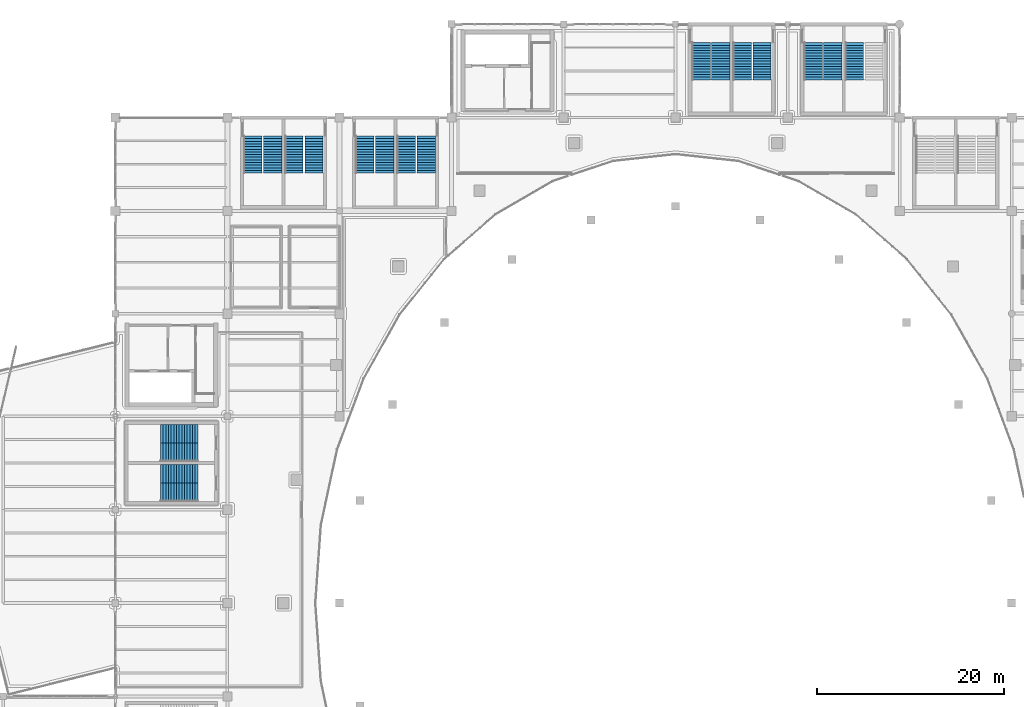
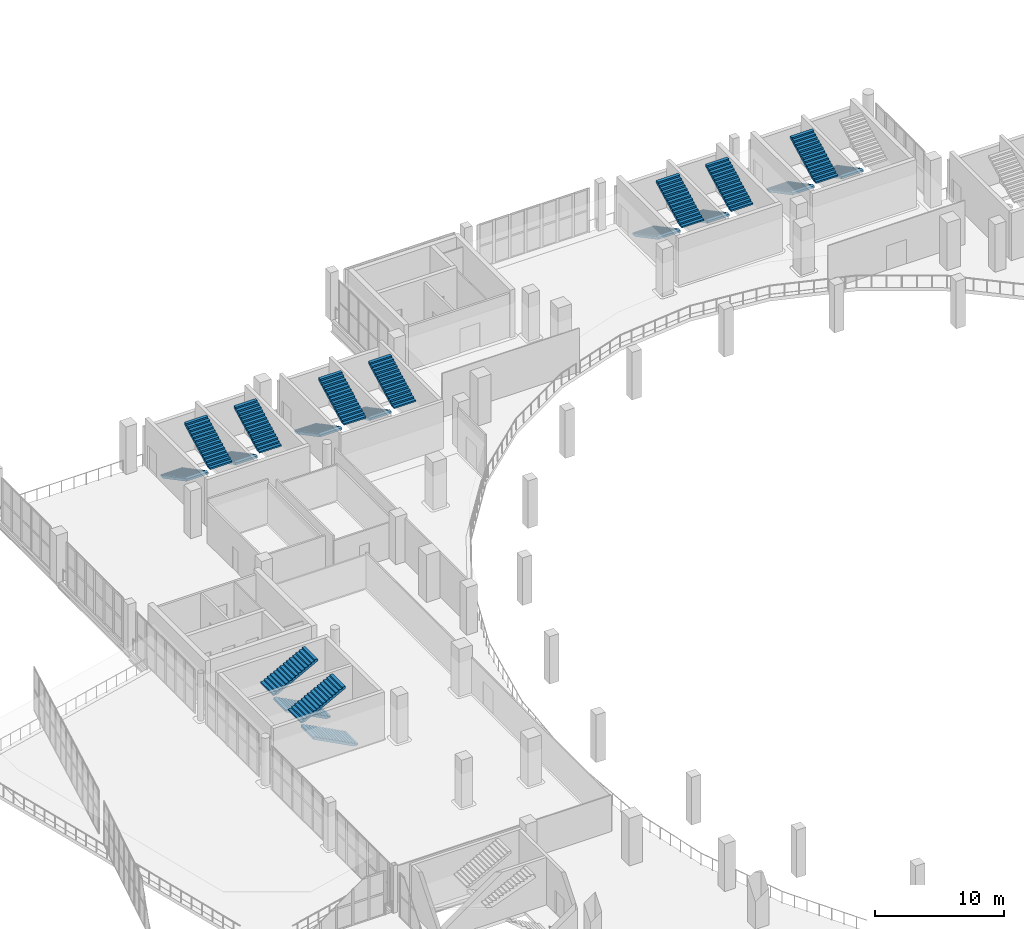
# One storey, part 88 of 108: 19 stair flights, 10 elements without a shape of their own.
"""IFC4 building model written with IfcOpenShell, lengths in metres."""

from ifc_helpers import new_model, si_unit, direction, frame, origin, place, context, subcontext, project, spatial, polyline, outline, extrude, material, layer, layer_set, type_object, element, aggregate, save


model = new_model("IFC4")

# Units and contexts
model_context = context("Model", 3, precision=1e-05, world=origin(), true_north=direction((0.0, 1.0)))
body_context = subcontext(model_context, "Body", "Model", "MODEL_VIEW")
ifc_project = project(units=[si_unit("LENGTHUNIT", "METRE"), si_unit("AREAUNIT", "SQUARE_METRE"), si_unit("VOLUMEUNIT", "CUBIC_METRE"), si_unit("PLANEANGLEUNIT", "RADIAN"), si_unit("MASSUNIT", "GRAM", prefix="KILO")], contexts=[model_context])

# Site, building, storey
site_placement = place(None, origin())
site = spatial("IfcSite", under=ifc_project, at=site_placement, CompositionType="ELEMENT")
building_placement = place(site_placement, origin())
building = spatial("IfcBuilding", under=site, at=building_placement, Name="Brinegate Civic Arena", CompositionType="ELEMENT")
storey_placement = place(building_placement, frame((0.0, 0.0, 10.199951171875)))
storey = spatial("IfcBuildingStorey", under=building, at=storey_placement, Name="L02", CompositionType="ELEMENT", Elevation=10.199951171875)

# Stair, stair flights
ifc_material = material(Name="Concrete C40/50", Category="concrete")
stair_type_1 = type_object("IfcStairType", Name="STAIR-EXIT-3700", PredefinedType="HALF_TURN_STAIR", material=ifc_material)
stair_1_placement = place(storey_placement, origin())
stair_1 = element("IfcStair", 1, at=stair_1_placement, inside=storey, type_object=stair_type_1, Name="Protected Exit Stair ST-01B (L02)", PredefinedType="HALF_TURN_STAIR")
ifc_layer_1 = layer(ifc_material, 0.179931640625, Name="Concrete C40/50")
ifc_layer_set_1 = layer_set([ifc_layer_1], Name="Concrete C40/50")
stair_flight_type_1 = type_object("IfcStairFlightType", Name="FLIGHT-EXIT-3700", PredefinedType="STRAIGHT", material=ifc_layer_set_1)
stair_flight_1_placement = place(storey_placement, frame((67.139892578125, 112.030029296875, 0.0), z_axis=(0.0, 0.0, 1.0), x_axis=(0.0, -1.0, 0.0)))
stair_flight_1 = element("IfcStairFlight", 2, at=stair_flight_1_placement, type_object=stair_flight_type_1, Name="ST-01B flight 1", NumberOfRisers=15, NumberOfTreads=14, PredefinedType="STRAIGHT", RiserHeight=0.15, TreadLength=0.285, context=body_context, shape_type="SweptSolid", body=[
    extrude(outline(polyline([(0.0, 0.0), (0.0, 0.14990234375), (0.284912109375, 0.14990234375), (0.284912109375, 0.300048828125), (0.570068359375, 0.300048828125), (0.570068359375, 0.449951171875), (0.85498046875, 0.449951171875), (0.85498046875, 0.60009765625), (1.139892578125, 0.60009765625), (1.139892578125, 0.75), (1.425048828125, 0.75), (1.425048828125, 0.89990234375), (1.7099609375, 0.89990234375), (1.7099609375, 1.050048828125), (1.9951171875, 1.050048828125), (1.9951171875, 1.199951171875), (2.280029296875, 1.199951171875), (2.280029296875, 1.35009765625), (2.56494140625, 1.35009765625), (2.56494140625, 1.5), (2.85009765625, 1.5), (2.85009765625, 1.64990234375), (3.135009765625, 1.64990234375), (3.135009765625, 1.800048828125), (3.419921875, 1.800048828125), (3.419921875, 1.949951171875), (3.705078125, 1.949951171875), (3.705078125, 2.10009765625), (3.989990234375, 2.10009765625), (3.989990234375, 2.25), (3.989990234375, 1.896728515625), (0.38623046875, 0.0), (0.0, 0.0)])), frame((0.0, 0.97998046875, 0.0), z_axis=(0.0, -1.0, 0.0), x_axis=(1.0, 0.0, 0.0)), (0.0, 0.0, 1.0), 1.9599609375),
])
stair_flight_2_placement = place(storey_placement, frame((69.280029296875, 108.0400390625, 2.25), z_axis=(0.0, 0.0, 1.0), x_axis=(0.0, 1.0, 0.0)))
stair_flight_2 = element("IfcStairFlight", 3, at=stair_flight_2_placement, type_object=stair_flight_type_1, Name="ST-01B flight 2", NumberOfRisers=15, NumberOfTreads=14, PredefinedType="STRAIGHT", RiserHeight=0.15, TreadLength=0.285, context=body_context, shape_type="SweptSolid", body=[
    extrude(outline(polyline([(0.0, 0.0), (0.0, 0.14990234375), (0.284912109375, 0.14990234375), (0.284912109375, 0.300048828125), (0.570068359375, 0.300048828125), (0.570068359375, 0.449951171875), (0.85498046875, 0.449951171875), (0.85498046875, 0.60009765625), (1.139892578125, 0.60009765625), (1.139892578125, 0.75), (1.425048828125, 0.75), (1.425048828125, 0.89990234375), (1.7099609375, 0.89990234375), (1.7099609375, 1.050048828125), (1.9951171875, 1.050048828125), (1.9951171875, 1.199951171875), (2.280029296875, 1.199951171875), (2.280029296875, 1.35009765625), (2.56494140625, 1.35009765625), (2.56494140625, 1.5), (2.85009765625, 1.5), (2.85009765625, 1.64990234375), (3.135009765625, 1.64990234375), (3.135009765625, 1.800048828125), (3.419921875, 1.800048828125), (3.419921875, 1.949951171875), (3.705078125, 1.949951171875), (3.705078125, 2.10009765625), (3.989990234375, 2.10009765625), (3.989990234375, 2.25), (3.989990234375, 1.896728515625), (0.38623046875, 0.0), (0.0, 0.0)])), frame((0.0, 0.97998046875, 0.0), z_axis=(0.0, -1.0, 0.0), x_axis=(1.0, 0.0, 0.0)), (0.0, 0.0, 1.0), 1.9599609375),
])
aggregate(stair_1, [stair_flight_1, stair_flight_2])

# Stair, stair flight
stair_2_placement = place(storey_placement, origin())
stair_2 = element("IfcStair", 4, at=stair_2_placement, inside=storey, type_object=stair_type_1, Name="Protected Exit Stair ST-03B (L02)", PredefinedType="HALF_TURN_STAIR")
stair_flight_3_placement = place(storey_placement, frame((127.139892578125, 122.030029296875, 0.0), z_axis=(0.0, 0.0, 1.0), x_axis=(0.0, -1.0, 0.0)))
stair_flight_3 = element("IfcStairFlight", 5, at=stair_flight_3_placement, type_object=stair_flight_type_1, Name="ST-03B flight 1", NumberOfRisers=15, NumberOfTreads=14, PredefinedType="STRAIGHT", RiserHeight=0.15, TreadLength=0.285, context=body_context, shape_type="SweptSolid", body=[
    extrude(outline(polyline([(0.0, 0.0), (0.0, 0.14990234375), (0.284912109375, 0.14990234375), (0.284912109375, 0.300048828125), (0.570068359375, 0.300048828125), (0.570068359375, 0.449951171875), (0.85498046875, 0.449951171875), (0.85498046875, 0.60009765625), (1.139892578125, 0.60009765625), (1.139892578125, 0.75), (1.425048828125, 0.75), (1.425048828125, 0.89990234375), (1.7099609375, 0.89990234375), (1.7099609375, 1.050048828125), (1.9951171875, 1.050048828125), (1.9951171875, 1.199951171875), (2.280029296875, 1.199951171875), (2.280029296875, 1.35009765625), (2.56494140625, 1.35009765625), (2.56494140625, 1.5), (2.85009765625, 1.5), (2.85009765625, 1.64990234375), (3.135009765625, 1.64990234375), (3.135009765625, 1.800048828125), (3.419921875, 1.800048828125), (3.419921875, 1.949951171875), (3.705078125, 1.949951171875), (3.705078125, 2.10009765625), (3.989990234375, 2.10009765625), (3.989990234375, 2.25), (3.989990234375, 1.896728515625), (0.38623046875, 0.0), (0.0, 0.0)])), frame((0.0, 0.97998046875, 0.0), z_axis=(0.0, -1.0, 0.0), x_axis=(1.0, 0.0, 0.0)), (0.0, 0.0, 1.0), 1.9599609375),
])
aggregate(stair_2, [stair_flight_3])

# Stair, stair flights
stair_3_placement = place(storey_placement, origin())
stair_3 = element("IfcStair", 6, at=stair_3_placement, inside=storey, type_object=stair_type_1, Name="Protected Exit Stair ST-07B (L02)", PredefinedType="HALF_TURN_STAIR")
stair_flight_4_placement = place(storey_placement, frame((56.830078125, 78.139892578125, 0.0), z_axis=(0.0, 0.0, 1.0), x_axis=(-1.0, 0.0, 0.0)))
stair_flight_4 = element("IfcStairFlight", 7, at=stair_flight_4_placement, type_object=stair_flight_type_1, Name="ST-07B flight 1", NumberOfRisers=15, NumberOfTreads=14, PredefinedType="STRAIGHT", RiserHeight=0.15, TreadLength=0.285, context=body_context, shape_type="SweptSolid", body=[
    extrude(outline(polyline([(0.0, 0.0), (0.0, 0.14990234375), (0.284912109375, 0.14990234375), (0.284912109375, 0.300048828125), (0.570068359375, 0.300048828125), (0.570068359375, 0.449951171875), (0.85498046875, 0.449951171875), (0.85498046875, 0.60009765625), (1.139892578125, 0.60009765625), (1.139892578125, 0.75), (1.425048828125, 0.75), (1.425048828125, 0.89990234375), (1.7099609375, 0.89990234375), (1.7099609375, 1.050048828125), (1.9951171875, 1.050048828125), (1.9951171875, 1.199951171875), (2.280029296875, 1.199951171875), (2.280029296875, 1.35009765625), (2.56494140625, 1.35009765625), (2.56494140625, 1.5), (2.85009765625, 1.5), (2.85009765625, 1.64990234375), (3.135009765625, 1.64990234375), (3.135009765625, 1.800048828125), (3.419921875, 1.800048828125), (3.419921875, 1.949951171875), (3.705078125, 1.949951171875), (3.705078125, 2.10009765625), (3.989990234375, 2.10009765625), (3.989990234375, 2.25), (3.989990234375, 1.896728515625), (0.38623046875, 0.0), (0.0, 0.0)])), frame((0.0, 0.97998046875, 0.0), z_axis=(0.0, -1.0, 0.0), x_axis=(1.0, 0.0, 0.0)), (0.0, 0.0, 1.0), 1.9599609375),
])
stair_flight_5_placement = place(storey_placement, frame((52.840087890625, 80.1298828125, 2.25), z_axis=(0.0, 0.0, 1.0), x_axis=(1.0, 0.0, 0.0)))
stair_flight_5 = element("IfcStairFlight", 8, at=stair_flight_5_placement, type_object=stair_flight_type_1, Name="ST-07B flight 2", NumberOfRisers=15, NumberOfTreads=14, PredefinedType="STRAIGHT", RiserHeight=0.15, TreadLength=0.285, context=body_context, shape_type="SweptSolid", body=[
    extrude(outline(polyline([(0.0, 0.0), (0.0, 0.14990234375), (0.284912109375, 0.14990234375), (0.284912109375, 0.300048828125), (0.570068359375, 0.300048828125), (0.570068359375, 0.449951171875), (0.85498046875, 0.449951171875), (0.85498046875, 0.60009765625), (1.139892578125, 0.60009765625), (1.139892578125, 0.75), (1.425048828125, 0.75), (1.425048828125, 0.89990234375), (1.7099609375, 0.89990234375), (1.7099609375, 1.050048828125), (1.9951171875, 1.050048828125), (1.9951171875, 1.199951171875), (2.280029296875, 1.199951171875), (2.280029296875, 1.35009765625), (2.56494140625, 1.35009765625), (2.56494140625, 1.5), (2.85009765625, 1.5), (2.85009765625, 1.64990234375), (3.135009765625, 1.64990234375), (3.135009765625, 1.800048828125), (3.419921875, 1.800048828125), (3.419921875, 1.949951171875), (3.705078125, 1.949951171875), (3.705078125, 2.10009765625), (3.989990234375, 2.10009765625), (3.989990234375, 2.25), (3.989990234375, 1.896728515625), (0.38623046875, 0.0), (0.0, 0.0)])), frame((0.0, 0.97998046875, 0.0), z_axis=(0.0, -1.0, 0.0), x_axis=(1.0, 0.0, 0.0)), (0.0, 0.0, 1.0), 1.9599609375),
])
aggregate(stair_3, [stair_flight_4, stair_flight_5])

stair_4_placement = place(storey_placement, origin())
stair_4 = element("IfcStair", 9, at=stair_4_placement, inside=storey, type_object=stair_type_1, Name="Protected Exit Stair ST-11B (L02)", PredefinedType="HALF_TURN_STAIR")
stair_flight_6_placement = place(storey_placement, frame((79.139892578125, 112.030029296875, 0.0), z_axis=(0.0, 0.0, 1.0), x_axis=(0.0, -1.0, 0.0)))
stair_flight_6 = element("IfcStairFlight", 10, at=stair_flight_6_placement, type_object=stair_flight_type_1, Name="ST-11B flight 1", NumberOfRisers=15, NumberOfTreads=14, PredefinedType="STRAIGHT", RiserHeight=0.15, TreadLength=0.285, context=body_context, shape_type="SweptSolid", body=[
    extrude(outline(polyline([(0.0, 0.0), (0.0, 0.14990234375), (0.284912109375, 0.14990234375), (0.284912109375, 0.300048828125), (0.570068359375, 0.300048828125), (0.570068359375, 0.449951171875), (0.85498046875, 0.449951171875), (0.85498046875, 0.60009765625), (1.139892578125, 0.60009765625), (1.139892578125, 0.75), (1.425048828125, 0.75), (1.425048828125, 0.89990234375), (1.7099609375, 0.89990234375), (1.7099609375, 1.050048828125), (1.9951171875, 1.050048828125), (1.9951171875, 1.199951171875), (2.280029296875, 1.199951171875), (2.280029296875, 1.35009765625), (2.56494140625, 1.35009765625), (2.56494140625, 1.5), (2.85009765625, 1.5), (2.85009765625, 1.64990234375), (3.135009765625, 1.64990234375), (3.135009765625, 1.800048828125), (3.419921875, 1.800048828125), (3.419921875, 1.949951171875), (3.705078125, 1.949951171875), (3.705078125, 2.10009765625), (3.989990234375, 2.10009765625), (3.989990234375, 2.25), (3.989990234375, 1.896728515625), (0.38623046875, 0.0), (0.0, 0.0)])), frame((0.0, 0.97998046875, 0.0), z_axis=(0.0, -1.0, 0.0), x_axis=(1.0, 0.0, 0.0)), (0.0, 0.0, 1.0), 1.9599609375),
])
stair_flight_7_placement = place(storey_placement, frame((81.31005859375, 108.0400390625, 2.25), z_axis=(0.0, 0.0, 1.0), x_axis=(0.0, 1.0, 0.0)))
stair_flight_7 = element("IfcStairFlight", 11, at=stair_flight_7_placement, type_object=stair_flight_type_1, Name="ST-11B flight 2", NumberOfRisers=15, NumberOfTreads=14, PredefinedType="STRAIGHT", RiserHeight=0.15, TreadLength=0.285, context=body_context, shape_type="SweptSolid", body=[
    extrude(outline(polyline([(0.0, 0.0), (0.0, 0.14990234375), (0.284912109375, 0.14990234375), (0.284912109375, 0.300048828125), (0.570068359375, 0.300048828125), (0.570068359375, 0.449951171875), (0.85498046875, 0.449951171875), (0.85498046875, 0.60009765625), (1.139892578125, 0.60009765625), (1.139892578125, 0.75), (1.425048828125, 0.75), (1.425048828125, 0.89990234375), (1.7099609375, 0.89990234375), (1.7099609375, 1.050048828125), (1.9951171875, 1.050048828125), (1.9951171875, 1.199951171875), (2.280029296875, 1.199951171875), (2.280029296875, 1.35009765625), (2.56494140625, 1.35009765625), (2.56494140625, 1.5), (2.85009765625, 1.5), (2.85009765625, 1.64990234375), (3.135009765625, 1.64990234375), (3.135009765625, 1.800048828125), (3.419921875, 1.800048828125), (3.419921875, 1.949951171875), (3.705078125, 1.949951171875), (3.705078125, 2.10009765625), (3.989990234375, 2.10009765625), (3.989990234375, 2.25), (3.989990234375, 1.896728515625), (0.38623046875, 0.0), (0.0, 0.0)])), frame((0.0, 0.97998046875, 0.0), z_axis=(0.0, -1.0, 0.0), x_axis=(1.0, 0.0, 0.0)), (0.0, 0.0, 1.0), 1.9599609375),
])
aggregate(stair_4, [stair_flight_6, stair_flight_7])

stair_5_placement = place(storey_placement, origin())
stair_5 = element("IfcStair", 12, at=stair_5_placement, inside=storey, type_object=stair_type_1, Name="Protected Exit Stair ST-15B (L02)", PredefinedType="HALF_TURN_STAIR")
stair_flight_8_placement = place(storey_placement, frame((115.139892578125, 122.030029296875, 0.0), z_axis=(0.0, 0.0, 1.0), x_axis=(0.0, -1.0, 0.0)))
stair_flight_8 = element("IfcStairFlight", 13, at=stair_flight_8_placement, type_object=stair_flight_type_1, Name="ST-15B flight 1", NumberOfRisers=15, NumberOfTreads=14, PredefinedType="STRAIGHT", RiserHeight=0.15, TreadLength=0.285, context=body_context, shape_type="SweptSolid", body=[
    extrude(outline(polyline([(0.0, 0.0), (0.0, 0.14990234375), (0.284912109375, 0.14990234375), (0.284912109375, 0.300048828125), (0.570068359375, 0.300048828125), (0.570068359375, 0.449951171875), (0.85498046875, 0.449951171875), (0.85498046875, 0.60009765625), (1.139892578125, 0.60009765625), (1.139892578125, 0.75), (1.425048828125, 0.75), (1.425048828125, 0.89990234375), (1.7099609375, 0.89990234375), (1.7099609375, 1.050048828125), (1.9951171875, 1.050048828125), (1.9951171875, 1.199951171875), (2.280029296875, 1.199951171875), (2.280029296875, 1.35009765625), (2.56494140625, 1.35009765625), (2.56494140625, 1.5), (2.85009765625, 1.5), (2.85009765625, 1.64990234375), (3.135009765625, 1.64990234375), (3.135009765625, 1.800048828125), (3.419921875, 1.800048828125), (3.419921875, 1.949951171875), (3.705078125, 1.949951171875), (3.705078125, 2.10009765625), (3.989990234375, 2.10009765625), (3.989990234375, 2.25), (3.989990234375, 1.896728515625), (0.38623046875, 0.0), (0.0, 0.0)])), frame((0.0, 0.97998046875, 0.0), z_axis=(0.0, -1.0, 0.0), x_axis=(1.0, 0.0, 0.0)), (0.0, 0.0, 1.0), 1.9599609375),
])
stair_flight_9_placement = place(storey_placement, frame((117.260009765625, 118.0400390625, 2.25), z_axis=(0.0, 0.0, 1.0), x_axis=(0.0, 1.0, 0.0)))
stair_flight_9 = element("IfcStairFlight", 14, at=stair_flight_9_placement, type_object=stair_flight_type_1, Name="ST-15B flight 2", NumberOfRisers=15, NumberOfTreads=14, PredefinedType="STRAIGHT", RiserHeight=0.15, TreadLength=0.285, context=body_context, shape_type="SweptSolid", body=[
    extrude(outline(polyline([(0.0, 0.0), (0.0, 0.14990234375), (0.284912109375, 0.14990234375), (0.284912109375, 0.300048828125), (0.570068359375, 0.300048828125), (0.570068359375, 0.449951171875), (0.85498046875, 0.449951171875), (0.85498046875, 0.60009765625), (1.139892578125, 0.60009765625), (1.139892578125, 0.75), (1.425048828125, 0.75), (1.425048828125, 0.89990234375), (1.7099609375, 0.89990234375), (1.7099609375, 1.050048828125), (1.9951171875, 1.050048828125), (1.9951171875, 1.199951171875), (2.280029296875, 1.199951171875), (2.280029296875, 1.35009765625), (2.56494140625, 1.35009765625), (2.56494140625, 1.5), (2.85009765625, 1.5), (2.85009765625, 1.64990234375), (3.135009765625, 1.64990234375), (3.135009765625, 1.800048828125), (3.419921875, 1.800048828125), (3.419921875, 1.949951171875), (3.705078125, 1.949951171875), (3.705078125, 2.10009765625), (3.989990234375, 2.10009765625), (3.989990234375, 2.25), (3.989990234375, 1.896728515625), (0.38623046875, 0.0), (0.0, 0.0)])), frame((0.0, 0.97998046875, 0.0), z_axis=(0.0, -1.0, 0.0), x_axis=(1.0, 0.0, 0.0)), (0.0, 0.0, 1.0), 1.9599609375),
])
aggregate(stair_5, [stair_flight_8, stair_flight_9])

stair_type_2 = type_object("IfcStairType", Name="STAIR-EXIT-3850", PredefinedType="HALF_TURN_STAIR", material=ifc_material)
stair_6_placement = place(storey_placement, origin())
stair_6 = element("IfcStair", 15, at=stair_6_placement, inside=storey, type_object=stair_type_2, Name="Protected Exit Stair ST-01A (L02)", PredefinedType="HALF_TURN_STAIR")
ifc_layer_2 = layer(ifc_material, 0.179931640625, Name="Concrete C40/50")
ifc_layer_set_2 = layer_set([ifc_layer_2], Name="Concrete C40/50")
stair_flight_type_2 = type_object("IfcStairFlightType", Name="FLIGHT-EXIT-3850", PredefinedType="STRAIGHT", material=ifc_layer_set_2)
stair_flight_10_placement = place(storey_placement, frame((62.72998046875, 112.030029296875, 0.0), z_axis=(0.0, 0.0, 1.0), x_axis=(0.0, -1.0, 0.0)))
stair_flight_10 = element("IfcStairFlight", 16, at=stair_flight_10_placement, type_object=stair_flight_type_2, Name="ST-01A flight 1", NumberOfRisers=15, NumberOfTreads=14, PredefinedType="STRAIGHT", RiserHeight=0.15, TreadLength=0.285, context=body_context, shape_type="SweptSolid", body=[
    extrude(outline(polyline([(0.0, 0.0), (0.0, 0.14990234375), (0.284912109375, 0.14990234375), (0.284912109375, 0.300048828125), (0.570068359375, 0.300048828125), (0.570068359375, 0.449951171875), (0.85498046875, 0.449951171875), (0.85498046875, 0.60009765625), (1.139892578125, 0.60009765625), (1.139892578125, 0.75), (1.425048828125, 0.75), (1.425048828125, 0.89990234375), (1.7099609375, 0.89990234375), (1.7099609375, 1.050048828125), (1.9951171875, 1.050048828125), (1.9951171875, 1.199951171875), (2.280029296875, 1.199951171875), (2.280029296875, 1.35009765625), (2.56494140625, 1.35009765625), (2.56494140625, 1.5), (2.85009765625, 1.5), (2.85009765625, 1.64990234375), (3.135009765625, 1.64990234375), (3.135009765625, 1.800048828125), (3.419921875, 1.800048828125), (3.419921875, 1.949951171875), (3.705078125, 1.949951171875), (3.705078125, 2.10009765625), (3.989990234375, 2.10009765625), (3.989990234375, 2.25), (3.989990234375, 1.896728515625), (0.38623046875, 0.0), (0.0, 0.0)])), frame((0.0, 0.989990234375, 0.0), z_axis=(0.0, -1.0, 0.0), x_axis=(1.0, 0.0, 0.0)), (0.0, 0.0, 1.0), 1.97998046875),
])
stair_flight_11_placement = place(storey_placement, frame((64.85009765625, 108.0400390625, 2.25), z_axis=(0.0, 0.0, 1.0), x_axis=(0.0, 1.0, 0.0)))
stair_flight_11 = element("IfcStairFlight", 17, at=stair_flight_11_placement, type_object=stair_flight_type_2, Name="ST-01A flight 2", NumberOfRisers=15, NumberOfTreads=14, PredefinedType="STRAIGHT", RiserHeight=0.15, TreadLength=0.285, context=body_context, shape_type="SweptSolid", body=[
    extrude(outline(polyline([(0.0, 0.0), (0.0, 0.14990234375), (0.284912109375, 0.14990234375), (0.284912109375, 0.300048828125), (0.570068359375, 0.300048828125), (0.570068359375, 0.449951171875), (0.85498046875, 0.449951171875), (0.85498046875, 0.60009765625), (1.139892578125, 0.60009765625), (1.139892578125, 0.75), (1.425048828125, 0.75), (1.425048828125, 0.89990234375), (1.7099609375, 0.89990234375), (1.7099609375, 1.050048828125), (1.9951171875, 1.050048828125), (1.9951171875, 1.199951171875), (2.280029296875, 1.199951171875), (2.280029296875, 1.35009765625), (2.56494140625, 1.35009765625), (2.56494140625, 1.5), (2.85009765625, 1.5), (2.85009765625, 1.64990234375), (3.135009765625, 1.64990234375), (3.135009765625, 1.800048828125), (3.419921875, 1.800048828125), (3.419921875, 1.949951171875), (3.705078125, 1.949951171875), (3.705078125, 2.10009765625), (3.989990234375, 2.10009765625), (3.989990234375, 2.25), (3.989990234375, 1.896728515625), (0.38623046875, 0.0), (0.0, 0.0)])), frame((0.0, 0.989990234375, 0.0), z_axis=(0.0, -1.0, 0.0), x_axis=(1.0, 0.0, 0.0)), (0.0, 0.0, 1.0), 1.97998046875),
])
aggregate(stair_6, [stair_flight_10, stair_flight_11])

stair_7_placement = place(storey_placement, origin())
stair_7 = element("IfcStair", 18, at=stair_7_placement, inside=storey, type_object=stair_type_2, Name="Protected Exit Stair ST-03A (L02)", PredefinedType="HALF_TURN_STAIR")
stair_flight_12_placement = place(storey_placement, frame((122.75, 122.030029296875, 0.0), z_axis=(0.0, 0.0, 1.0), x_axis=(0.0, -1.0, 0.0)))
stair_flight_12 = element("IfcStairFlight", 19, at=stair_flight_12_placement, type_object=stair_flight_type_2, Name="ST-03A flight 1", NumberOfRisers=15, NumberOfTreads=14, PredefinedType="STRAIGHT", RiserHeight=0.15, TreadLength=0.285, context=body_context, shape_type="SweptSolid", body=[
    extrude(outline(polyline([(0.0, 0.0), (0.0, 0.14990234375), (0.284912109375, 0.14990234375), (0.284912109375, 0.300048828125), (0.570068359375, 0.300048828125), (0.570068359375, 0.449951171875), (0.85498046875, 0.449951171875), (0.85498046875, 0.60009765625), (1.139892578125, 0.60009765625), (1.139892578125, 0.75), (1.425048828125, 0.75), (1.425048828125, 0.89990234375), (1.7099609375, 0.89990234375), (1.7099609375, 1.050048828125), (1.9951171875, 1.050048828125), (1.9951171875, 1.199951171875), (2.280029296875, 1.199951171875), (2.280029296875, 1.35009765625), (2.56494140625, 1.35009765625), (2.56494140625, 1.5), (2.85009765625, 1.5), (2.85009765625, 1.64990234375), (3.135009765625, 1.64990234375), (3.135009765625, 1.800048828125), (3.419921875, 1.800048828125), (3.419921875, 1.949951171875), (3.705078125, 1.949951171875), (3.705078125, 2.10009765625), (3.989990234375, 2.10009765625), (3.989990234375, 2.25), (3.989990234375, 1.896728515625), (0.38623046875, 0.0), (0.0, 0.0)])), frame((0.0, 0.989990234375, 0.0), z_axis=(0.0, -1.0, 0.0), x_axis=(1.0, 0.0, 0.0)), (0.0, 0.0, 1.0), 1.97998046875),
])
stair_flight_13_placement = place(storey_placement, frame((124.85009765625, 118.0400390625, 2.25), z_axis=(0.0, 0.0, 1.0), x_axis=(0.0, 1.0, 0.0)))
stair_flight_13 = element("IfcStairFlight", 20, at=stair_flight_13_placement, type_object=stair_flight_type_2, Name="ST-03A flight 2", NumberOfRisers=15, NumberOfTreads=14, PredefinedType="STRAIGHT", RiserHeight=0.15, TreadLength=0.285, context=body_context, shape_type="SweptSolid", body=[
    extrude(outline(polyline([(0.0, 0.0), (0.0, 0.14990234375), (0.284912109375, 0.14990234375), (0.284912109375, 0.300048828125), (0.570068359375, 0.300048828125), (0.570068359375, 0.449951171875), (0.85498046875, 0.449951171875), (0.85498046875, 0.60009765625), (1.139892578125, 0.60009765625), (1.139892578125, 0.75), (1.425048828125, 0.75), (1.425048828125, 0.89990234375), (1.7099609375, 0.89990234375), (1.7099609375, 1.050048828125), (1.9951171875, 1.050048828125), (1.9951171875, 1.199951171875), (2.280029296875, 1.199951171875), (2.280029296875, 1.35009765625), (2.56494140625, 1.35009765625), (2.56494140625, 1.5), (2.85009765625, 1.5), (2.85009765625, 1.64990234375), (3.135009765625, 1.64990234375), (3.135009765625, 1.800048828125), (3.419921875, 1.800048828125), (3.419921875, 1.949951171875), (3.705078125, 1.949951171875), (3.705078125, 2.10009765625), (3.989990234375, 2.10009765625), (3.989990234375, 2.25), (3.989990234375, 1.896728515625), (0.38623046875, 0.0), (0.0, 0.0)])), frame((0.0, 0.989990234375, 0.0), z_axis=(0.0, -1.0, 0.0), x_axis=(1.0, 0.0, 0.0)), (0.0, 0.0, 1.0), 1.97998046875),
])
aggregate(stair_7, [stair_flight_12, stair_flight_13])

stair_8_placement = place(storey_placement, origin())
stair_8 = element("IfcStair", 21, at=stair_8_placement, inside=storey, type_object=stair_type_2, Name="Protected Exit Stair ST-07A (L02)", PredefinedType="HALF_TURN_STAIR")
stair_flight_14_placement = place(storey_placement, frame((56.830078125, 73.8779296875, 0.0), z_axis=(0.0, 0.0, 1.0), x_axis=(-1.0, 0.0, 0.0)))
stair_flight_14 = element("IfcStairFlight", 22, at=stair_flight_14_placement, type_object=stair_flight_type_2, Name="ST-07A flight 1", NumberOfRisers=15, NumberOfTreads=14, PredefinedType="STRAIGHT", RiserHeight=0.15, TreadLength=0.285, context=body_context, shape_type="SweptSolid", body=[
    extrude(outline(polyline([(0.0, 0.0), (0.0, 0.14990234375), (0.284912109375, 0.14990234375), (0.284912109375, 0.300048828125), (0.570068359375, 0.300048828125), (0.570068359375, 0.449951171875), (0.85498046875, 0.449951171875), (0.85498046875, 0.60009765625), (1.139892578125, 0.60009765625), (1.139892578125, 0.75), (1.425048828125, 0.75), (1.425048828125, 0.89990234375), (1.7099609375, 0.89990234375), (1.7099609375, 1.050048828125), (1.9951171875, 1.050048828125), (1.9951171875, 1.199951171875), (2.280029296875, 1.199951171875), (2.280029296875, 1.35009765625), (2.56494140625, 1.35009765625), (2.56494140625, 1.5), (2.85009765625, 1.5), (2.85009765625, 1.64990234375), (3.135009765625, 1.64990234375), (3.135009765625, 1.800048828125), (3.419921875, 1.800048828125), (3.419921875, 1.949951171875), (3.705078125, 1.949951171875), (3.705078125, 2.10009765625), (3.989990234375, 2.10009765625), (3.989990234375, 2.25), (3.989990234375, 1.896728515625), (0.38623046875, 0.0), (0.0, 0.0)])), frame((0.0, 0.987548828125, 0.0), z_axis=(0.0, -1.0, 0.0), x_axis=(1.0, 0.0, 0.0)), (0.0, 0.0, 1.0), 1.97509765625),
])
stair_flight_15_placement = place(storey_placement, frame((52.840087890625, 75.85302734375, 2.25), z_axis=(0.0, 0.0, 1.0), x_axis=(1.0, 0.0, 0.0)))
stair_flight_15 = element("IfcStairFlight", 23, at=stair_flight_15_placement, type_object=stair_flight_type_2, Name="ST-07A flight 2", NumberOfRisers=15, NumberOfTreads=14, PredefinedType="STRAIGHT", RiserHeight=0.15, TreadLength=0.285, context=body_context, shape_type="SweptSolid", body=[
    extrude(outline(polyline([(0.0, 0.0), (0.0, 0.14990234375), (0.284912109375, 0.14990234375), (0.284912109375, 0.300048828125), (0.570068359375, 0.300048828125), (0.570068359375, 0.449951171875), (0.85498046875, 0.449951171875), (0.85498046875, 0.60009765625), (1.139892578125, 0.60009765625), (1.139892578125, 0.75), (1.425048828125, 0.75), (1.425048828125, 0.89990234375), (1.7099609375, 0.89990234375), (1.7099609375, 1.050048828125), (1.9951171875, 1.050048828125), (1.9951171875, 1.199951171875), (2.280029296875, 1.199951171875), (2.280029296875, 1.35009765625), (2.56494140625, 1.35009765625), (2.56494140625, 1.5), (2.85009765625, 1.5), (2.85009765625, 1.64990234375), (3.135009765625, 1.64990234375), (3.135009765625, 1.800048828125), (3.419921875, 1.800048828125), (3.419921875, 1.949951171875), (3.705078125, 1.949951171875), (3.705078125, 2.10009765625), (3.989990234375, 2.10009765625), (3.989990234375, 2.25), (3.989990234375, 1.896728515625), (0.38623046875, 0.0), (0.0, 0.0)])), frame((0.0, 0.987548828125, 0.0), z_axis=(0.0, -1.0, 0.0), x_axis=(1.0, 0.0, 0.0)), (0.0, 0.0, 1.0), 1.97509765625),
])
aggregate(stair_8, [stair_flight_14, stair_flight_15])

stair_9_placement = place(storey_placement, origin())
stair_9 = element("IfcStair", 24, at=stair_9_placement, inside=storey, type_object=stair_type_2, Name="Protected Exit Stair ST-11A (L02)", PredefinedType="HALF_TURN_STAIR")
stair_flight_16_placement = place(storey_placement, frame((74.699951171875, 112.030029296875, 0.0), z_axis=(0.0, 0.0, 1.0), x_axis=(0.0, -1.0, 0.0)))
stair_flight_16 = element("IfcStairFlight", 25, at=stair_flight_16_placement, type_object=stair_flight_type_2, Name="ST-11A flight 1", NumberOfRisers=15, NumberOfTreads=14, PredefinedType="STRAIGHT", RiserHeight=0.15, TreadLength=0.285, context=body_context, shape_type="SweptSolid", body=[
    extrude(outline(polyline([(0.0, 0.0), (0.0, 0.14990234375), (0.284912109375, 0.14990234375), (0.284912109375, 0.300048828125), (0.570068359375, 0.300048828125), (0.570068359375, 0.449951171875), (0.85498046875, 0.449951171875), (0.85498046875, 0.60009765625), (1.139892578125, 0.60009765625), (1.139892578125, 0.75), (1.425048828125, 0.75), (1.425048828125, 0.89990234375), (1.7099609375, 0.89990234375), (1.7099609375, 1.050048828125), (1.9951171875, 1.050048828125), (1.9951171875, 1.199951171875), (2.280029296875, 1.199951171875), (2.280029296875, 1.35009765625), (2.56494140625, 1.35009765625), (2.56494140625, 1.5), (2.85009765625, 1.5), (2.85009765625, 1.64990234375), (3.135009765625, 1.64990234375), (3.135009765625, 1.800048828125), (3.419921875, 1.800048828125), (3.419921875, 1.949951171875), (3.705078125, 1.949951171875), (3.705078125, 2.10009765625), (3.989990234375, 2.10009765625), (3.989990234375, 2.25), (3.989990234375, 1.896728515625), (0.38623046875, 0.0), (0.0, 0.0)])), frame((0.0, 0.989990234375, 0.0), z_axis=(0.0, -1.0, 0.0), x_axis=(1.0, 0.0, 0.0)), (0.0, 0.0, 1.0), 1.97998046875),
])
stair_flight_17_placement = place(storey_placement, frame((76.85009765625, 108.0400390625, 2.25), z_axis=(0.0, 0.0, 1.0), x_axis=(0.0, 1.0, 0.0)))
stair_flight_17 = element("IfcStairFlight", 26, at=stair_flight_17_placement, type_object=stair_flight_type_2, Name="ST-11A flight 2", NumberOfRisers=15, NumberOfTreads=14, PredefinedType="STRAIGHT", RiserHeight=0.15, TreadLength=0.285, context=body_context, shape_type="SweptSolid", body=[
    extrude(outline(polyline([(0.0, 0.0), (0.0, 0.14990234375), (0.284912109375, 0.14990234375), (0.284912109375, 0.300048828125), (0.570068359375, 0.300048828125), (0.570068359375, 0.449951171875), (0.85498046875, 0.449951171875), (0.85498046875, 0.60009765625), (1.139892578125, 0.60009765625), (1.139892578125, 0.75), (1.425048828125, 0.75), (1.425048828125, 0.89990234375), (1.7099609375, 0.89990234375), (1.7099609375, 1.050048828125), (1.9951171875, 1.050048828125), (1.9951171875, 1.199951171875), (2.280029296875, 1.199951171875), (2.280029296875, 1.35009765625), (2.56494140625, 1.35009765625), (2.56494140625, 1.5), (2.85009765625, 1.5), (2.85009765625, 1.64990234375), (3.135009765625, 1.64990234375), (3.135009765625, 1.800048828125), (3.419921875, 1.800048828125), (3.419921875, 1.949951171875), (3.705078125, 1.949951171875), (3.705078125, 2.10009765625), (3.989990234375, 2.10009765625), (3.989990234375, 2.25), (3.989990234375, 1.896728515625), (0.38623046875, 0.0), (0.0, 0.0)])), frame((0.0, 0.989990234375, 0.0), z_axis=(0.0, -1.0, 0.0), x_axis=(1.0, 0.0, 0.0)), (0.0, 0.0, 1.0), 1.97998046875),
])
aggregate(stair_9, [stair_flight_16, stair_flight_17])

stair_10_placement = place(storey_placement, origin())
stair_10 = element("IfcStair", 27, at=stair_10_placement, inside=storey, type_object=stair_type_2, Name="Protected Exit Stair ST-15A (L02)", PredefinedType="HALF_TURN_STAIR")
stair_flight_18_placement = place(storey_placement, frame((110.75, 122.030029296875, 0.0), z_axis=(0.0, 0.0, 1.0), x_axis=(0.0, -1.0, 0.0)))
stair_flight_18 = element("IfcStairFlight", 28, at=stair_flight_18_placement, type_object=stair_flight_type_2, Name="ST-15A flight 1", NumberOfRisers=15, NumberOfTreads=14, PredefinedType="STRAIGHT", RiserHeight=0.15, TreadLength=0.285, context=body_context, shape_type="SweptSolid", body=[
    extrude(outline(polyline([(0.0, 0.0), (0.0, 0.14990234375), (0.284912109375, 0.14990234375), (0.284912109375, 0.300048828125), (0.570068359375, 0.300048828125), (0.570068359375, 0.449951171875), (0.85498046875, 0.449951171875), (0.85498046875, 0.60009765625), (1.139892578125, 0.60009765625), (1.139892578125, 0.75), (1.425048828125, 0.75), (1.425048828125, 0.89990234375), (1.7099609375, 0.89990234375), (1.7099609375, 1.050048828125), (1.9951171875, 1.050048828125), (1.9951171875, 1.199951171875), (2.280029296875, 1.199951171875), (2.280029296875, 1.35009765625), (2.56494140625, 1.35009765625), (2.56494140625, 1.5), (2.85009765625, 1.5), (2.85009765625, 1.64990234375), (3.135009765625, 1.64990234375), (3.135009765625, 1.800048828125), (3.419921875, 1.800048828125), (3.419921875, 1.949951171875), (3.705078125, 1.949951171875), (3.705078125, 2.10009765625), (3.989990234375, 2.10009765625), (3.989990234375, 2.25), (3.989990234375, 1.896728515625), (0.38623046875, 0.0), (0.0, 0.0)])), frame((0.0, 0.989990234375, 0.0), z_axis=(0.0, -1.0, 0.0), x_axis=(1.0, 0.0, 0.0)), (0.0, 0.0, 1.0), 1.97998046875),
])
stair_flight_19_placement = place(storey_placement, frame((112.85009765625, 118.0400390625, 2.25), z_axis=(0.0, 0.0, 1.0), x_axis=(0.0, 1.0, 0.0)))
stair_flight_19 = element("IfcStairFlight", 29, at=stair_flight_19_placement, type_object=stair_flight_type_2, Name="ST-15A flight 2", NumberOfRisers=15, NumberOfTreads=14, PredefinedType="STRAIGHT", RiserHeight=0.15, TreadLength=0.285, context=body_context, shape_type="SweptSolid", body=[
    extrude(outline(polyline([(0.0, 0.0), (0.0, 0.14990234375), (0.284912109375, 0.14990234375), (0.284912109375, 0.300048828125), (0.570068359375, 0.300048828125), (0.570068359375, 0.449951171875), (0.85498046875, 0.449951171875), (0.85498046875, 0.60009765625), (1.139892578125, 0.60009765625), (1.139892578125, 0.75), (1.425048828125, 0.75), (1.425048828125, 0.89990234375), (1.7099609375, 0.89990234375), (1.7099609375, 1.050048828125), (1.9951171875, 1.050048828125), (1.9951171875, 1.199951171875), (2.280029296875, 1.199951171875), (2.280029296875, 1.35009765625), (2.56494140625, 1.35009765625), (2.56494140625, 1.5), (2.85009765625, 1.5), (2.85009765625, 1.64990234375), (3.135009765625, 1.64990234375), (3.135009765625, 1.800048828125), (3.419921875, 1.800048828125), (3.419921875, 1.949951171875), (3.705078125, 1.949951171875), (3.705078125, 2.10009765625), (3.989990234375, 2.10009765625), (3.989990234375, 2.25), (3.989990234375, 1.896728515625), (0.38623046875, 0.0), (0.0, 0.0)])), frame((0.0, 0.989990234375, 0.0), z_axis=(0.0, -1.0, 0.0), x_axis=(1.0, 0.0, 0.0)), (0.0, 0.0, 1.0), 1.97998046875),
])
aggregate(stair_10, [stair_flight_18, stair_flight_19])

save(model, "model.ifc")
